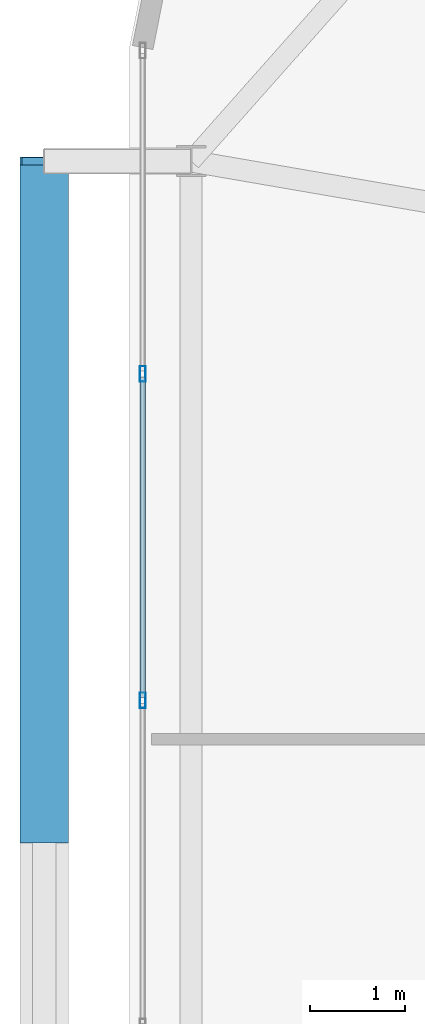
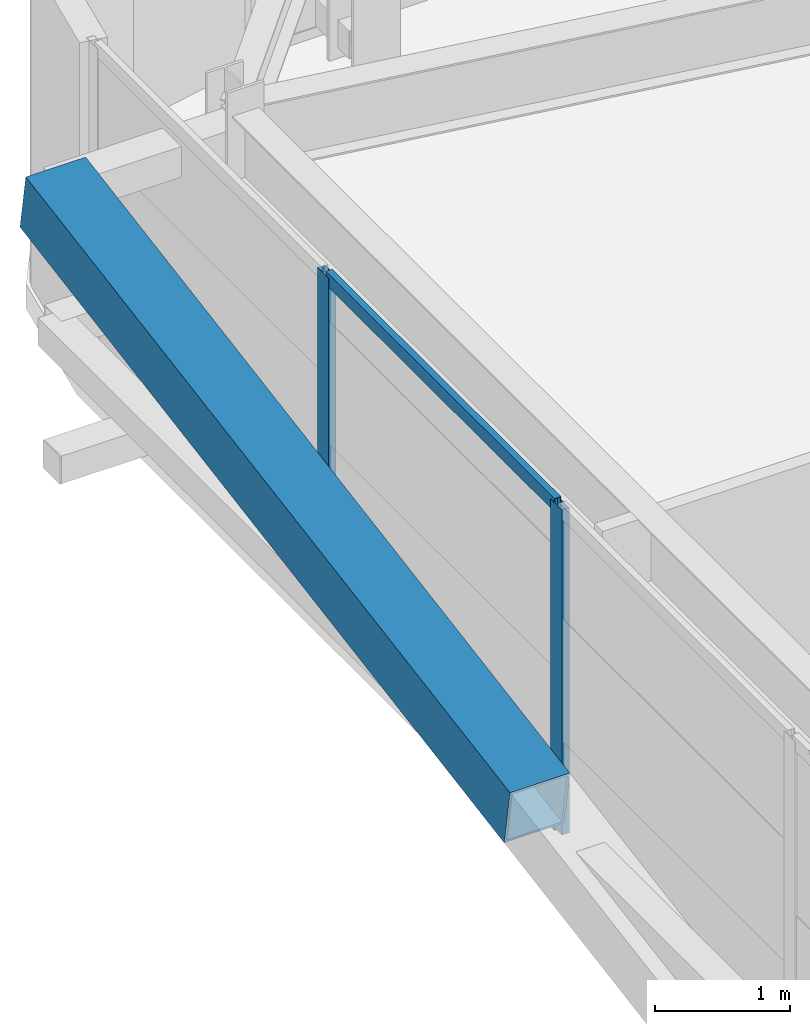
# One storey, part 18 of 58: 5 members, 1 element without a shape of its own.
"""IFC4 building model written with IfcOpenShell, lengths in metres."""

from ifc_helpers import new_model, si_unit, direction, frame, origin, origin_2d, place, context, subcontext, project, spatial, hollow_rectangle, extrude, source, transform, mapped, material, layer, layer_set, material_profile, profile_set, type_object, element, aggregate, save


model = new_model("IFC4")

# Units and contexts
model_context = context("Model", 3, precision=1e-05, world=origin(), true_north=direction((0.0, 1.0)))
body_context = subcontext(model_context, "Body", "Model", "MODEL_VIEW")
ifc_project = project(units=[si_unit("LENGTHUNIT", "METRE"), si_unit("AREAUNIT", "SQUARE_METRE"), si_unit("VOLUMEUNIT", "CUBIC_METRE"), si_unit("PLANEANGLEUNIT", "RADIAN"), si_unit("MASSUNIT", "GRAM", prefix="KILO")], contexts=[model_context])

# Site, building, storey
site_placement = place(None, origin())
site = spatial("IfcSite", under=ifc_project, at=site_placement, CompositionType="ELEMENT")
building_placement = place(site_placement, origin())
building = spatial("IfcBuilding", under=site, at=building_placement, Name="Taldren Reach Tower", CompositionType="ELEMENT")
storey_placement = place(building_placement, frame((0.0, 0.0, 51.449951171875)))
storey = spatial("IfcBuildingStorey", under=building, at=storey_placement, Name="L15", CompositionType="ELEMENT", Elevation=51.449951171875)

# Member
ifc_material_1 = material(Name="Steel Gr 450 (C450L0)", Category="steel")
ifc_material_profile_1 = material_profile(ifc_material_1, hollow_rectangle(XDim=0.510009765625, YDim=0.510009765625, WallThickness=0.02001953125, at=origin_2d()), Name="510x510x20.0SHS")
ifc_profile_set_1 = profile_set([ifc_material_profile_1], Name="Steel Gr 450 (C450L0)")
member_type_1 = type_object("IfcMemberType", Name="MB-EXO508", PredefinedType="BRACE", material=ifc_profile_set_1)
shared_shape_1 = source(origin(), body_context, "Body", "SweptSolid", [
    extrude(hollow_rectangle(XDim=0.510009765625, YDim=0.510009765625, WallThickness=0.02001953125, at=origin_2d()), origin(), (0.0, 0.0, 1.0), 7.252685546875),
])
member_1_placement = place(storey_placement, frame((4.10009765625, 27.14990234375, 1.43505859375), z_axis=(0.0, 0.985865800628, 0.167536930711), x_axis=(-1.0, 0.0, 0.0)))
element("IfcMember", 1, at=member_1_placement, inside=storey, type_object=member_type_1, Name="Exoskeleton Diagrid Brace B1-W2 L15", PredefinedType="BRACE", context=body_context, shape_type="MappedRepresentation", body=[
    mapped(shared_shape_1, transform((0.0, 0.0, 0.0), scale=1.0)),
])

# Curtain wall, members
ifc_material_2 = material(Name="Aluminium and Low-E Glass Unitised System", Category="aluminium")
ifc_layer = layer(ifc_material_2, 0.159912109375)
ifc_layer_set = layer_set([ifc_layer], Name="Aluminium and Low-E Glass Unitised System")
curtain_wall_type = type_object("IfcCurtainWallType", Name="CW-SYS-2", PredefinedType="NOTDEFINED", material=ifc_layer_set)
curtain_wall_placement = place(storey_placement, origin())
curtain_wall = element("IfcCurtainWall", 2, at=curtain_wall_placement, inside=storey, type_object=curtain_wall_type, Name="Unitised curtain wall CW-L15-W", PredefinedType="NOTDEFINED")
ifc_material_3 = material(Name="Anodised Aluminium 6063-T6", Category="aluminium")
ifc_material_profile_2 = material_profile(ifc_material_3, hollow_rectangle(XDim=0.06494140625, YDim=0.1650390625, WallThickness=0.00390625, at=origin_2d()), Name="ALU-165x65x4RHS")
ifc_profile_set_2 = profile_set([ifc_material_profile_2], Name="Anodised Aluminium 6063-T6")
member_type_2 = type_object("IfcMemberType", Name="CW-MUL-165", PredefinedType="MULLION", material=ifc_profile_set_2)
shared_shape_2 = source(origin(), body_context, "Body", "SweptSolid", [
    extrude(hollow_rectangle(XDim=0.06494140625, YDim=0.1650390625, WallThickness=0.00390625, at=origin_2d()), origin(), (0.0, 0.0, 1.0), 2.929931640625),
])
member_2_placement = place(storey_placement, frame((5.139892578125, 32.0556640625, 0.0), z_axis=(0.0, 0.0, 1.0), x_axis=(1.0, 0.0, 0.0)))
member_2 = element("IfcMember", 3, at=member_2_placement, type_object=member_type_2, Name="CW-2 mullion 2", PredefinedType="MULLION", context=body_context, shape_type="MappedRepresentation", body=[
    mapped(shared_shape_2, transform((0.0, 0.0, 0.0), scale=1.0)),
])
member_3_placement = place(storey_placement, frame((5.139892578125, 28.611083984375, 0.0), z_axis=(0.0, 0.0, 1.0), x_axis=(1.0, 0.0, 0.0)))
member_3 = element("IfcMember", 4, at=member_3_placement, type_object=member_type_2, Name="CW-2 mullion 3", PredefinedType="MULLION", context=body_context, shape_type="MappedRepresentation", body=[
    mapped(shared_shape_2, transform((0.0, 0.0, 0.0), scale=1.0)),
])
ifc_material_profile_3 = material_profile(ifc_material_3, hollow_rectangle(XDim=0.054931640625, YDim=0.1201171875, WallThickness=0.0029296875, at=origin_2d()), Name="ALU-120x55x3RHS")
ifc_profile_set_3 = profile_set([ifc_material_profile_3], Name="Anodised Aluminium 6063-T6")
member_type_3 = type_object("IfcMemberType", Name="CW-TRN-135", PredefinedType="USERDEFINED", material=ifc_profile_set_3)
shared_shape_3 = source(origin(), body_context, "Body", "SweptSolid", [
    extrude(hollow_rectangle(XDim=0.054931640625, YDim=0.1201171875, WallThickness=0.0029296875, at=origin_2d()), origin(), (0.0, 0.0, 1.0), 3.37939453125),
])
member_4_placement = place(storey_placement, frame((5.139892578125, 32.02294921875, 0.027587890625), z_axis=(0.0, -1.0, 0.0), x_axis=(1.0, 0.0, 0.0)))
member_4 = element("IfcMember", 5, at=member_4_placement, type_object=member_type_3, Name="CW-2 transom 2.1", ObjectType="TRANSOM", PredefinedType="USERDEFINED", context=body_context, shape_type="MappedRepresentation", body=[
    mapped(shared_shape_3, transform((0.0, 0.0, 0.0), scale=1.0)),
])
member_5_placement = place(storey_placement, frame((5.139892578125, 32.02294921875, 2.902587890625), z_axis=(0.0, -1.0, 0.0), x_axis=(1.0, 0.0, 0.0)))
member_5 = element("IfcMember", 6, at=member_5_placement, type_object=member_type_3, Name="CW-2 transom 2.2", ObjectType="TRANSOM", PredefinedType="USERDEFINED", context=body_context, shape_type="MappedRepresentation", body=[
    mapped(shared_shape_3, transform((0.0, 0.0, 0.0), scale=1.0)),
])
aggregate(curtain_wall, [member_2, member_3, member_4, member_5])

save(model, "model.ifc")
